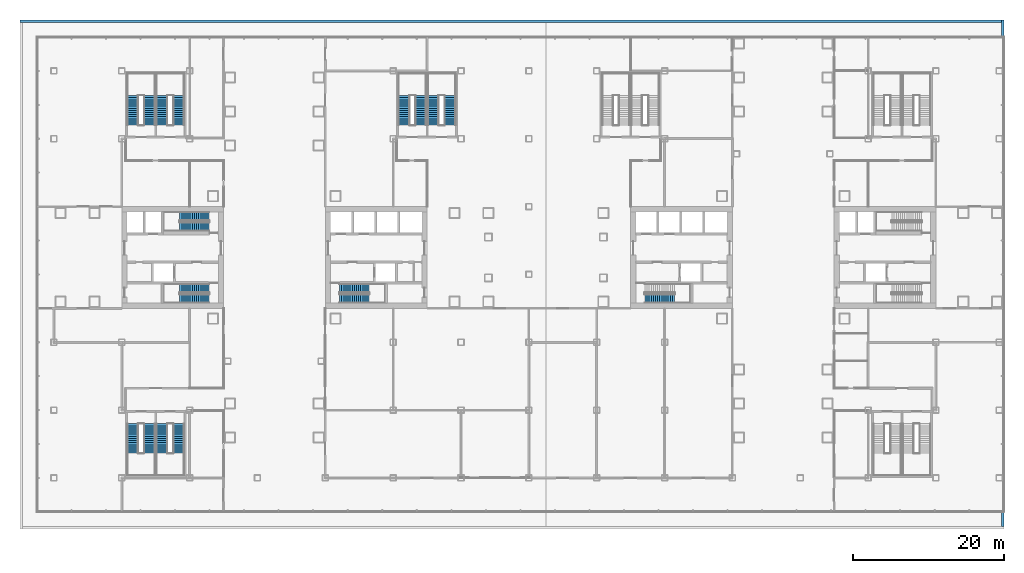
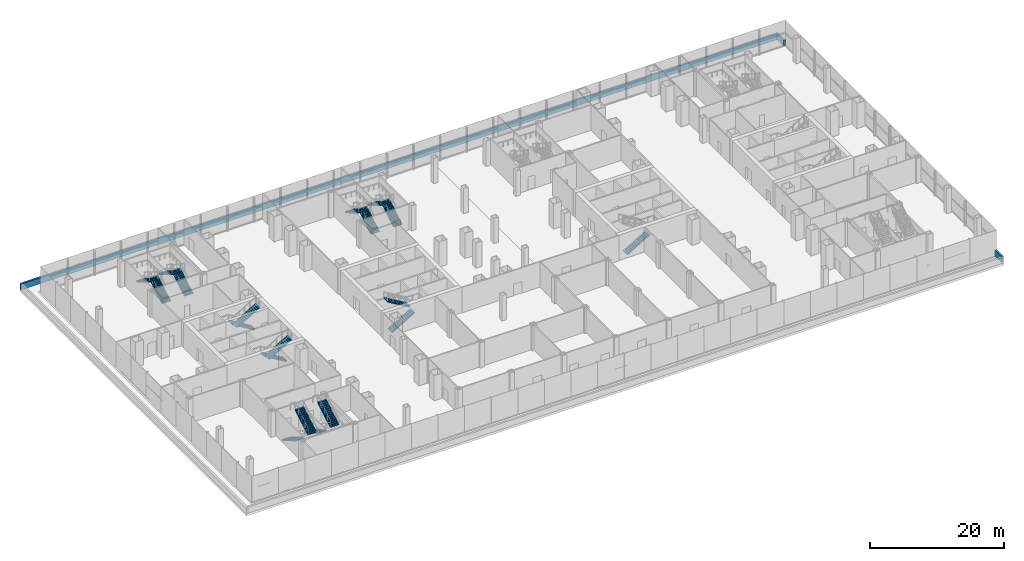
# One storey, part 27 of 33: 19 stair flights, 3 walls, 10 elements without a shape of their own.
"""IFC4 building model written with IfcOpenShell, lengths in metres."""

from ifc_helpers import new_model, si_unit, direction, frame, frame_2d, origin, place, context, subcontext, project, spatial, polyline, rectangle, outline, extrude, material, layer, layer_set, type_object, element, aggregate, save


model = new_model("IFC4")

# Units and contexts
model_context = context("Model", 3, precision=1e-05, world=origin(), true_north=direction((0.0, 1.0)))
body_context = subcontext(model_context, "Body", "Model", "MODEL_VIEW")
ifc_project = project(units=[si_unit("LENGTHUNIT", "METRE"), si_unit("AREAUNIT", "SQUARE_METRE"), si_unit("VOLUMEUNIT", "CUBIC_METRE"), si_unit("PLANEANGLEUNIT", "RADIAN"), si_unit("MASSUNIT", "GRAM", prefix="KILO")], contexts=[model_context])

# Site, building, storey
site_placement = place(None, origin())
site = spatial("IfcSite", under=ifc_project, at=site_placement, CompositionType="ELEMENT")
building_placement = place(site_placement, origin())
building = spatial("IfcBuilding", under=site, at=building_placement, Name="Shamsa Quay Exchange Towers", CompositionType="ELEMENT")
storey_placement = place(building_placement, frame((0.0, 0.0, 18.5)))
storey = spatial("IfcBuildingStorey", under=building, at=storey_placement, Name="L03", CompositionType="ELEMENT", Elevation=18.5)

# Walls
ifc_material_1 = material(Name="Reinforced concrete C30/37", Category="concrete")
ifc_layer = layer(ifc_material_1, 0.300048828125)
ifc_layer_set = layer_set([ifc_layer], Name="ROOF PARAPET 300 C30/37")
wall_type = type_object("IfcWallType", Name="ROOF PARAPET 300 C30/37", PredefinedType="PARAPET", material=ifc_layer_set)
wall_1_placement = place(storey_placement, frame((62.85009765625, 29.25, 0.0), z_axis=(0.0, 0.0, 1.0), x_axis=(0.0, 1.0, 0.0)))
element("IfcWall", 1, at=wall_1_placement, inside=storey, type_object=wall_type, Name="Parapet L02 1", PredefinedType="PARAPET", context=body_context, shape_type="SweptSolid", body=[
    extrude(rectangle(XDim=2.25, YDim=0.300048828125, at=frame_2d((1.125, 0.0))), origin(), (0.0, 0.0, 1.0), 1.10009765625),
])
wall_2_placement = place(storey_placement, frame((62.699951171875, 31.35009765625, 0.0), z_axis=(0.0, 0.0, 1.0), x_axis=(-1.0, 0.0, 0.0)))
element("IfcWall", 2, at=wall_2_placement, inside=storey, type_object=wall_type, Name="Parapet L02 2", PredefinedType="PARAPET", context=body_context, shape_type="SweptSolid", body=[
    extrude(rectangle(XDim=130.199951171875, YDim=0.300048828125, at=frame_2d((65.10009765625, 0.0))), origin(), (0.0, 0.0, 1.0), 1.10009765625),
])
wall_3_placement = place(storey_placement, frame((62.85009765625, -35.699951171875, 0.0), z_axis=(0.0, 0.0, 1.0), x_axis=(0.0, 1.0, 0.0)))
element("IfcWall", 3, at=wall_3_placement, inside=storey, type_object=wall_type, Name="Parapet L02 5", PredefinedType="PARAPET", context=body_context, shape_type="SweptSolid", body=[
    extrude(rectangle(XDim=1.949951171875, YDim=0.300048828125, at=frame_2d((0.97509765625, 0.0))), origin(), (0.0, 0.0, 1.0), 1.10009765625),
])

# Stair, stair flights
ifc_material_2 = material(Name="Concrete C40/50", Category="concrete")
stair_type_1 = type_object("IfcStairType", Name="EXIT STAIR 30 RISERS 167 MM", PredefinedType="HALF_TURN_STAIR", material=ifc_material_2)
stair_1_placement = place(storey_placement, origin())
stair_1 = element("IfcStair", 4, at=stair_1_placement, inside=storey, type_object=stair_type_1, Name="L03 Exit stair ST1", PredefinedType="HALF_TURN_STAIR")
stair_flight_type_1 = type_object("IfcStairFlightType", Name="EXIT STAIR FLIGHT 15 RISERS 167 MM", PredefinedType="STRAIGHT", material=ifc_material_2)
stair_flight_1_placement = place(storey_placement, frame((-25.10009765625, -5.449951171875, 0.0)))
stair_flight_1 = element("IfcStairFlight", 5, at=stair_flight_1_placement, type_object=stair_flight_type_1, Name="ST1 flight 1", NumberOfRisers=15, NumberOfTreads=14, PredefinedType="STRAIGHT", RiserHeight=0.166666667, TreadLength=0.28, context=body_context, shape_type="SweptSolid", body=[
    extrude(outline(polyline([(0.0, 0.0), (0.0, 0.166748046875), (0.280029296875, 0.166748046875), (0.280029296875, 0.333251953125), (0.56005859375, 0.333251953125), (0.56005859375, 0.5), (0.840087890625, 0.5), (0.840087890625, 0.666748046875), (1.1201171875, 0.666748046875), (1.1201171875, 0.833251953125), (1.39990234375, 0.833251953125), (1.39990234375, 1.0), (1.679931640625, 1.0), (1.679931640625, 1.166748046875), (1.9599609375, 1.166748046875), (1.9599609375, 1.333251953125), (2.239990234375, 1.333251953125), (2.239990234375, 1.5), (2.52001953125, 1.5), (2.52001953125, 1.666748046875), (2.800048828125, 1.666748046875), (2.800048828125, 1.833251953125), (3.080078125, 1.833251953125), (3.080078125, 2.0), (3.360107421875, 2.0), (3.360107421875, 2.166748046875), (3.639892578125, 2.166748046875), (3.639892578125, 2.333251953125), (3.919921875, 2.333251953125), (3.919921875, 2.5), (3.919921875, 2.170654296875), (0.2734375, 0.0), (0.0, 0.0)])), frame((0.0, 0.60009765625, 0.0), z_axis=(0.0, -1.0, 0.0), x_axis=(1.0, 0.0, 0.0)), (0.0, 0.0, 1.0), 1.199951171875),
])
stair_flight_2_placement = place(storey_placement, frame((-21.179931640625, -4.10009765625, 2.5), z_axis=(0.0, 0.0, 1.0), x_axis=(-1.0, 0.0, 0.0)))
stair_flight_2 = element("IfcStairFlight", 6, at=stair_flight_2_placement, type_object=stair_flight_type_1, Name="ST1 flight 2", NumberOfRisers=15, NumberOfTreads=14, PredefinedType="STRAIGHT", RiserHeight=0.166666667, TreadLength=0.28, context=body_context, shape_type="SweptSolid", body=[
    extrude(outline(polyline([(0.0, 0.0), (0.0, 0.166748046875), (0.280029296875, 0.166748046875), (0.280029296875, 0.333251953125), (0.56005859375, 0.333251953125), (0.56005859375, 0.5), (0.840087890625, 0.5), (0.840087890625, 0.666748046875), (1.1201171875, 0.666748046875), (1.1201171875, 0.833251953125), (1.39990234375, 0.833251953125), (1.39990234375, 1.0), (1.679931640625, 1.0), (1.679931640625, 1.166748046875), (1.9599609375, 1.166748046875), (1.9599609375, 1.333251953125), (2.239990234375, 1.333251953125), (2.239990234375, 1.5), (2.52001953125, 1.5), (2.52001953125, 1.666748046875), (2.800048828125, 1.666748046875), (2.800048828125, 1.833251953125), (3.080078125, 1.833251953125), (3.080078125, 2.0), (3.360107421875, 2.0), (3.360107421875, 2.166748046875), (3.639892578125, 2.166748046875), (3.639892578125, 2.333251953125), (3.919921875, 2.333251953125), (3.919921875, 2.5), (3.919921875, 2.170654296875), (0.2734375, 0.0), (0.0, 0.0)])), frame((0.0, 0.60009765625, 0.0), z_axis=(0.0, -1.0, 0.0), x_axis=(1.0, 0.0, 0.0)), (0.0, 0.0, 1.0), 1.199951171875),
])
aggregate(stair_1, [stair_flight_1, stair_flight_2])

stair_2_placement = place(storey_placement, origin())
stair_2 = element("IfcStair", 7, at=stair_2_placement, inside=storey, type_object=stair_type_1, Name="L03 Exit stair ST2", PredefinedType="HALF_TURN_STAIR")
stair_flight_3_placement = place(storey_placement, frame((-42.39990234375, -4.10009765625, 0.0), z_axis=(0.0, 0.0, 1.0), x_axis=(-1.0, 0.0, 0.0)))
stair_flight_3 = element("IfcStairFlight", 8, at=stair_flight_3_placement, type_object=stair_flight_type_1, Name="ST2 flight 1", NumberOfRisers=15, NumberOfTreads=14, PredefinedType="STRAIGHT", RiserHeight=0.166666667, TreadLength=0.28, context=body_context, shape_type="SweptSolid", body=[
    extrude(outline(polyline([(0.0, 0.0), (0.0, 0.166748046875), (0.280029296875, 0.166748046875), (0.280029296875, 0.333251953125), (0.56005859375, 0.333251953125), (0.56005859375, 0.5), (0.840087890625, 0.5), (0.840087890625, 0.666748046875), (1.1201171875, 0.666748046875), (1.1201171875, 0.833251953125), (1.39990234375, 0.833251953125), (1.39990234375, 1.0), (1.679931640625, 1.0), (1.679931640625, 1.166748046875), (1.9599609375, 1.166748046875), (1.9599609375, 1.333251953125), (2.239990234375, 1.333251953125), (2.239990234375, 1.5), (2.52001953125, 1.5), (2.52001953125, 1.666748046875), (2.800048828125, 1.666748046875), (2.800048828125, 1.833251953125), (3.080078125, 1.833251953125), (3.080078125, 2.0), (3.360107421875, 2.0), (3.360107421875, 2.166748046875), (3.639892578125, 2.166748046875), (3.639892578125, 2.333251953125), (3.919921875, 2.333251953125), (3.919921875, 2.5), (3.919921875, 2.170654296875), (0.2734375, 0.0), (0.0, 0.0)])), frame((0.0, 0.60009765625, 0.0), z_axis=(0.0, -1.0, 0.0), x_axis=(1.0, 0.0, 0.0)), (0.0, 0.0, 1.0), 1.199951171875),
])
stair_flight_4_placement = place(storey_placement, frame((-46.320068359375, -5.449951171875, 2.5)))
stair_flight_4 = element("IfcStairFlight", 9, at=stair_flight_4_placement, type_object=stair_flight_type_1, Name="ST2 flight 2", NumberOfRisers=15, NumberOfTreads=14, PredefinedType="STRAIGHT", RiserHeight=0.166666667, TreadLength=0.28, context=body_context, shape_type="SweptSolid", body=[
    extrude(outline(polyline([(0.0, 0.0), (0.0, 0.166748046875), (0.280029296875, 0.166748046875), (0.280029296875, 0.333251953125), (0.56005859375, 0.333251953125), (0.56005859375, 0.5), (0.840087890625, 0.5), (0.840087890625, 0.666748046875), (1.1201171875, 0.666748046875), (1.1201171875, 0.833251953125), (1.39990234375, 0.833251953125), (1.39990234375, 1.0), (1.679931640625, 1.0), (1.679931640625, 1.166748046875), (1.9599609375, 1.166748046875), (1.9599609375, 1.333251953125), (2.239990234375, 1.333251953125), (2.239990234375, 1.5), (2.52001953125, 1.5), (2.52001953125, 1.666748046875), (2.800048828125, 1.666748046875), (2.800048828125, 1.833251953125), (3.080078125, 1.833251953125), (3.080078125, 2.0), (3.360107421875, 2.0), (3.360107421875, 2.166748046875), (3.639892578125, 2.166748046875), (3.639892578125, 2.333251953125), (3.919921875, 2.333251953125), (3.919921875, 2.5), (3.919921875, 2.170654296875), (0.2734375, 0.0), (0.0, 0.0)])), frame((0.0, 0.60009765625, 0.0), z_axis=(0.0, -1.0, 0.0), x_axis=(1.0, 0.0, 0.0)), (0.0, 0.0, 1.0), 1.199951171875),
])
aggregate(stair_2, [stair_flight_3, stair_flight_4])

stair_3_placement = place(storey_placement, origin())
stair_3 = element("IfcStair", 10, at=stair_3_placement, inside=storey, type_object=stair_type_1, Name="L03 Exit stair ST3", PredefinedType="HALF_TURN_STAIR")
stair_flight_5_placement = place(storey_placement, frame((-42.39990234375, 5.449951171875, 0.0), z_axis=(0.0, 0.0, 1.0), x_axis=(-1.0, 0.0, 0.0)))
stair_flight_5 = element("IfcStairFlight", 11, at=stair_flight_5_placement, type_object=stair_flight_type_1, Name="ST3 flight 1", NumberOfRisers=15, NumberOfTreads=14, PredefinedType="STRAIGHT", RiserHeight=0.166666667, TreadLength=0.28, context=body_context, shape_type="SweptSolid", body=[
    extrude(outline(polyline([(0.0, 0.0), (0.0, 0.166748046875), (0.280029296875, 0.166748046875), (0.280029296875, 0.333251953125), (0.56005859375, 0.333251953125), (0.56005859375, 0.5), (0.840087890625, 0.5), (0.840087890625, 0.666748046875), (1.1201171875, 0.666748046875), (1.1201171875, 0.833251953125), (1.39990234375, 0.833251953125), (1.39990234375, 1.0), (1.679931640625, 1.0), (1.679931640625, 1.166748046875), (1.9599609375, 1.166748046875), (1.9599609375, 1.333251953125), (2.239990234375, 1.333251953125), (2.239990234375, 1.5), (2.52001953125, 1.5), (2.52001953125, 1.666748046875), (2.800048828125, 1.666748046875), (2.800048828125, 1.833251953125), (3.080078125, 1.833251953125), (3.080078125, 2.0), (3.360107421875, 2.0), (3.360107421875, 2.166748046875), (3.639892578125, 2.166748046875), (3.639892578125, 2.333251953125), (3.919921875, 2.333251953125), (3.919921875, 2.5), (3.919921875, 2.170654296875), (0.2734375, 0.0), (0.0, 0.0)])), frame((0.0, 0.60009765625, 0.0), z_axis=(0.0, -1.0, 0.0), x_axis=(1.0, 0.0, 0.0)), (0.0, 0.0, 1.0), 1.199951171875),
])
stair_flight_6_placement = place(storey_placement, frame((-46.320068359375, 4.10009765625, 2.5)))
stair_flight_6 = element("IfcStairFlight", 12, at=stair_flight_6_placement, type_object=stair_flight_type_1, Name="ST3 flight 2", NumberOfRisers=15, NumberOfTreads=14, PredefinedType="STRAIGHT", RiserHeight=0.166666667, TreadLength=0.28, context=body_context, shape_type="SweptSolid", body=[
    extrude(outline(polyline([(0.0, 0.0), (0.0, 0.166748046875), (0.280029296875, 0.166748046875), (0.280029296875, 0.333251953125), (0.56005859375, 0.333251953125), (0.56005859375, 0.5), (0.840087890625, 0.5), (0.840087890625, 0.666748046875), (1.1201171875, 0.666748046875), (1.1201171875, 0.833251953125), (1.39990234375, 0.833251953125), (1.39990234375, 1.0), (1.679931640625, 1.0), (1.679931640625, 1.166748046875), (1.9599609375, 1.166748046875), (1.9599609375, 1.333251953125), (2.239990234375, 1.333251953125), (2.239990234375, 1.5), (2.52001953125, 1.5), (2.52001953125, 1.666748046875), (2.800048828125, 1.666748046875), (2.800048828125, 1.833251953125), (3.080078125, 1.833251953125), (3.080078125, 2.0), (3.360107421875, 2.0), (3.360107421875, 2.166748046875), (3.639892578125, 2.166748046875), (3.639892578125, 2.333251953125), (3.919921875, 2.333251953125), (3.919921875, 2.5), (3.919921875, 2.170654296875), (0.2734375, 0.0), (0.0, 0.0)])), frame((0.0, 0.60009765625, 0.0), z_axis=(0.0, -1.0, 0.0), x_axis=(1.0, 0.0, 0.0)), (0.0, 0.0, 1.0), 1.199951171875),
])
aggregate(stair_3, [stair_flight_5, stair_flight_6])

# Stair, stair flight
stair_4_placement = place(storey_placement, origin())
stair_4 = element("IfcStair", 13, at=stair_4_placement, inside=storey, type_object=stair_type_1, Name="L03 Exit stair ST4", PredefinedType="HALF_TURN_STAIR")
stair_flight_7_placement = place(storey_placement, frame((15.39990234375, -5.449951171875, 0.0)))
stair_flight_7 = element("IfcStairFlight", 14, at=stair_flight_7_placement, type_object=stair_flight_type_1, Name="ST4 flight 1", NumberOfRisers=15, NumberOfTreads=14, PredefinedType="STRAIGHT", RiserHeight=0.166666667, TreadLength=0.28, context=body_context, shape_type="SweptSolid", body=[
    extrude(outline(polyline([(0.0, 0.0), (0.0, 0.166748046875), (0.280029296875, 0.166748046875), (0.280029296875, 0.333251953125), (0.56005859375, 0.333251953125), (0.56005859375, 0.5), (0.840087890625, 0.5), (0.840087890625, 0.666748046875), (1.1201171875, 0.666748046875), (1.1201171875, 0.833251953125), (1.39990234375, 0.833251953125), (1.39990234375, 1.0), (1.679931640625, 1.0), (1.679931640625, 1.166748046875), (1.9599609375, 1.166748046875), (1.9599609375, 1.333251953125), (2.239990234375, 1.333251953125), (2.239990234375, 1.5), (2.52001953125, 1.5), (2.52001953125, 1.666748046875), (2.800048828125, 1.666748046875), (2.800048828125, 1.833251953125), (3.080078125, 1.833251953125), (3.080078125, 2.0), (3.360107421875, 2.0), (3.360107421875, 2.166748046875), (3.639892578125, 2.166748046875), (3.639892578125, 2.333251953125), (3.919921875, 2.333251953125), (3.919921875, 2.5), (3.919921875, 2.170654296875), (0.2734375, 0.0), (0.0, 0.0)])), frame((0.0, 0.60009765625, 0.0), z_axis=(0.0, -1.0, 0.0), x_axis=(1.0, 0.0, 0.0)), (0.0, 0.0, 1.0), 1.199951171875),
])
aggregate(stair_4, [stair_flight_7])

# Stair, stair flights
stair_type_2 = type_object("IfcStairType", Name="PODIUM EXIT STAIR 30 RISERS 167 MM 1500 WIDE", PredefinedType="HALF_TURN_STAIR", material=ifc_material_2)
stair_5_placement = place(storey_placement, origin())
stair_5 = element("IfcStair", 15, at=stair_5_placement, inside=storey, type_object=stair_type_2, Name="L03 Exit stair PS1A", PredefinedType="HALF_TURN_STAIR")
stair_flight_type_2 = type_object("IfcStairFlightType", Name="PODIUM EXIT STAIR FLIGHT 15 RISERS 167 MM 1500 WIDE", PredefinedType="STRAIGHT", material=ifc_material_2)
stair_flight_8_placement = place(storey_placement, frame((-50.324951171875, 17.550048828125, 0.0), z_axis=(0.0, 0.0, 1.0), x_axis=(0.0, 1.0, 0.0)))
stair_flight_8 = element("IfcStairFlight", 16, at=stair_flight_8_placement, type_object=stair_flight_type_2, Name="PS1A flight 1", NumberOfRisers=15, NumberOfTreads=14, PredefinedType="STRAIGHT", RiserHeight=0.166666667, TreadLength=0.28, context=body_context, shape_type="SweptSolid", body=[
    extrude(outline(polyline([(0.0, 0.0), (0.0, 0.166748046875), (0.280029296875, 0.166748046875), (0.280029296875, 0.333251953125), (0.56005859375, 0.333251953125), (0.56005859375, 0.5), (0.840087890625, 0.5), (0.840087890625, 0.666748046875), (1.1201171875, 0.666748046875), (1.1201171875, 0.833251953125), (1.39990234375, 0.833251953125), (1.39990234375, 1.0), (1.679931640625, 1.0), (1.679931640625, 1.166748046875), (1.9599609375, 1.166748046875), (1.9599609375, 1.333251953125), (2.239990234375, 1.333251953125), (2.239990234375, 1.5), (2.52001953125, 1.5), (2.52001953125, 1.666748046875), (2.800048828125, 1.666748046875), (2.800048828125, 1.833251953125), (3.080078125, 1.833251953125), (3.080078125, 2.0), (3.360107421875, 2.0), (3.360107421875, 2.166748046875), (3.639892578125, 2.166748046875), (3.639892578125, 2.333251953125), (3.919921875, 2.333251953125), (3.919921875, 2.5), (3.919921875, 2.158935546875), (0.29296875, 0.0), (0.0, 0.0)])), frame((0.0, 0.75, 0.0), z_axis=(0.0, -1.0, 0.0), x_axis=(1.0, 0.0, 0.0)), (0.0, 0.0, 1.0), 1.5),
])
stair_flight_9_placement = place(storey_placement, frame((-52.550048828125, 21.469970703125, 2.5), z_axis=(0.0, 0.0, 1.0), x_axis=(0.0, -1.0, 0.0)))
stair_flight_9 = element("IfcStairFlight", 17, at=stair_flight_9_placement, type_object=stair_flight_type_2, Name="PS1A flight 2", NumberOfRisers=15, NumberOfTreads=14, PredefinedType="STRAIGHT", RiserHeight=0.166666667, TreadLength=0.28, context=body_context, shape_type="SweptSolid", body=[
    extrude(outline(polyline([(0.0, 0.0), (0.0, 0.166748046875), (0.280029296875, 0.166748046875), (0.280029296875, 0.333251953125), (0.56005859375, 0.333251953125), (0.56005859375, 0.5), (0.840087890625, 0.5), (0.840087890625, 0.666748046875), (1.1201171875, 0.666748046875), (1.1201171875, 0.833251953125), (1.39990234375, 0.833251953125), (1.39990234375, 1.0), (1.679931640625, 1.0), (1.679931640625, 1.166748046875), (1.9599609375, 1.166748046875), (1.9599609375, 1.333251953125), (2.239990234375, 1.333251953125), (2.239990234375, 1.5), (2.52001953125, 1.5), (2.52001953125, 1.666748046875), (2.800048828125, 1.666748046875), (2.800048828125, 1.833251953125), (3.080078125, 1.833251953125), (3.080078125, 2.0), (3.360107421875, 2.0), (3.360107421875, 2.166748046875), (3.639892578125, 2.166748046875), (3.639892578125, 2.333251953125), (3.919921875, 2.333251953125), (3.919921875, 2.5), (3.919921875, 2.158935546875), (0.29296875, 0.0), (0.0, 0.0)])), frame((0.0, 0.75, 0.0), z_axis=(0.0, -1.0, 0.0), x_axis=(1.0, 0.0, 0.0)), (0.0, 0.0, 1.0), 1.5),
])
aggregate(stair_5, [stair_flight_8, stair_flight_9])

stair_6_placement = place(storey_placement, origin())
stair_6 = element("IfcStair", 18, at=stair_6_placement, inside=storey, type_object=stair_type_2, Name="L03 Exit stair PS1B", PredefinedType="HALF_TURN_STAIR")
stair_flight_10_placement = place(storey_placement, frame((-46.449951171875, 17.550048828125, 0.0), z_axis=(0.0, 0.0, 1.0), x_axis=(0.0, 1.0, 0.0)))
stair_flight_10 = element("IfcStairFlight", 19, at=stair_flight_10_placement, type_object=stair_flight_type_2, Name="PS1B flight 1", NumberOfRisers=15, NumberOfTreads=14, PredefinedType="STRAIGHT", RiserHeight=0.166666667, TreadLength=0.28, context=body_context, shape_type="SweptSolid", body=[
    extrude(outline(polyline([(0.0, 0.0), (0.0, 0.166748046875), (0.280029296875, 0.166748046875), (0.280029296875, 0.333251953125), (0.56005859375, 0.333251953125), (0.56005859375, 0.5), (0.840087890625, 0.5), (0.840087890625, 0.666748046875), (1.1201171875, 0.666748046875), (1.1201171875, 0.833251953125), (1.39990234375, 0.833251953125), (1.39990234375, 1.0), (1.679931640625, 1.0), (1.679931640625, 1.166748046875), (1.9599609375, 1.166748046875), (1.9599609375, 1.333251953125), (2.239990234375, 1.333251953125), (2.239990234375, 1.5), (2.52001953125, 1.5), (2.52001953125, 1.666748046875), (2.800048828125, 1.666748046875), (2.800048828125, 1.833251953125), (3.080078125, 1.833251953125), (3.080078125, 2.0), (3.360107421875, 2.0), (3.360107421875, 2.166748046875), (3.639892578125, 2.166748046875), (3.639892578125, 2.333251953125), (3.919921875, 2.333251953125), (3.919921875, 2.5), (3.919921875, 2.158935546875), (0.29296875, 0.0), (0.0, 0.0)])), frame((0.0, 0.75, 0.0), z_axis=(0.0, -1.0, 0.0), x_axis=(1.0, 0.0, 0.0)), (0.0, 0.0, 1.0), 1.5),
])
stair_flight_11_placement = place(storey_placement, frame((-48.675048828125, 21.469970703125, 2.5), z_axis=(0.0, 0.0, 1.0), x_axis=(0.0, -1.0, 0.0)))
stair_flight_11 = element("IfcStairFlight", 20, at=stair_flight_11_placement, type_object=stair_flight_type_2, Name="PS1B flight 2", NumberOfRisers=15, NumberOfTreads=14, PredefinedType="STRAIGHT", RiserHeight=0.166666667, TreadLength=0.28, context=body_context, shape_type="SweptSolid", body=[
    extrude(outline(polyline([(0.0, 0.0), (0.0, 0.166748046875), (0.280029296875, 0.166748046875), (0.280029296875, 0.333251953125), (0.56005859375, 0.333251953125), (0.56005859375, 0.5), (0.840087890625, 0.5), (0.840087890625, 0.666748046875), (1.1201171875, 0.666748046875), (1.1201171875, 0.833251953125), (1.39990234375, 0.833251953125), (1.39990234375, 1.0), (1.679931640625, 1.0), (1.679931640625, 1.166748046875), (1.9599609375, 1.166748046875), (1.9599609375, 1.333251953125), (2.239990234375, 1.333251953125), (2.239990234375, 1.5), (2.52001953125, 1.5), (2.52001953125, 1.666748046875), (2.800048828125, 1.666748046875), (2.800048828125, 1.833251953125), (3.080078125, 1.833251953125), (3.080078125, 2.0), (3.360107421875, 2.0), (3.360107421875, 2.166748046875), (3.639892578125, 2.166748046875), (3.639892578125, 2.333251953125), (3.919921875, 2.333251953125), (3.919921875, 2.5), (3.919921875, 2.158935546875), (0.29296875, 0.0), (0.0, 0.0)])), frame((0.0, 0.75, 0.0), z_axis=(0.0, -1.0, 0.0), x_axis=(1.0, 0.0, 0.0)), (0.0, 0.0, 1.0), 1.5),
])
aggregate(stair_6, [stair_flight_10, stair_flight_11])

stair_7_placement = place(storey_placement, origin())
stair_7 = element("IfcStair", 21, at=stair_7_placement, inside=storey, type_object=stair_type_2, Name="L03 Exit stair PS2A", PredefinedType="HALF_TURN_STAIR")
stair_flight_12_placement = place(storey_placement, frame((-14.324951171875, 17.550048828125, 0.0), z_axis=(0.0, 0.0, 1.0), x_axis=(0.0, 1.0, 0.0)))
stair_flight_12 = element("IfcStairFlight", 22, at=stair_flight_12_placement, type_object=stair_flight_type_2, Name="PS2A flight 1", NumberOfRisers=15, NumberOfTreads=14, PredefinedType="STRAIGHT", RiserHeight=0.166666667, TreadLength=0.28, context=body_context, shape_type="SweptSolid", body=[
    extrude(outline(polyline([(0.0, 0.0), (0.0, 0.166748046875), (0.280029296875, 0.166748046875), (0.280029296875, 0.333251953125), (0.56005859375, 0.333251953125), (0.56005859375, 0.5), (0.840087890625, 0.5), (0.840087890625, 0.666748046875), (1.1201171875, 0.666748046875), (1.1201171875, 0.833251953125), (1.39990234375, 0.833251953125), (1.39990234375, 1.0), (1.679931640625, 1.0), (1.679931640625, 1.166748046875), (1.9599609375, 1.166748046875), (1.9599609375, 1.333251953125), (2.239990234375, 1.333251953125), (2.239990234375, 1.5), (2.52001953125, 1.5), (2.52001953125, 1.666748046875), (2.800048828125, 1.666748046875), (2.800048828125, 1.833251953125), (3.080078125, 1.833251953125), (3.080078125, 2.0), (3.360107421875, 2.0), (3.360107421875, 2.166748046875), (3.639892578125, 2.166748046875), (3.639892578125, 2.333251953125), (3.919921875, 2.333251953125), (3.919921875, 2.5), (3.919921875, 2.158935546875), (0.29296875, 0.0), (0.0, 0.0)])), frame((0.0, 0.75, 0.0), z_axis=(0.0, -1.0, 0.0), x_axis=(1.0, 0.0, 0.0)), (0.0, 0.0, 1.0), 1.5),
])
stair_flight_13_placement = place(storey_placement, frame((-16.550048828125, 21.469970703125, 2.5), z_axis=(0.0, 0.0, 1.0), x_axis=(0.0, -1.0, 0.0)))
stair_flight_13 = element("IfcStairFlight", 23, at=stair_flight_13_placement, type_object=stair_flight_type_2, Name="PS2A flight 2", NumberOfRisers=15, NumberOfTreads=14, PredefinedType="STRAIGHT", RiserHeight=0.166666667, TreadLength=0.28, context=body_context, shape_type="SweptSolid", body=[
    extrude(outline(polyline([(0.0, 0.0), (0.0, 0.166748046875), (0.280029296875, 0.166748046875), (0.280029296875, 0.333251953125), (0.56005859375, 0.333251953125), (0.56005859375, 0.5), (0.840087890625, 0.5), (0.840087890625, 0.666748046875), (1.1201171875, 0.666748046875), (1.1201171875, 0.833251953125), (1.39990234375, 0.833251953125), (1.39990234375, 1.0), (1.679931640625, 1.0), (1.679931640625, 1.166748046875), (1.9599609375, 1.166748046875), (1.9599609375, 1.333251953125), (2.239990234375, 1.333251953125), (2.239990234375, 1.5), (2.52001953125, 1.5), (2.52001953125, 1.666748046875), (2.800048828125, 1.666748046875), (2.800048828125, 1.833251953125), (3.080078125, 1.833251953125), (3.080078125, 2.0), (3.360107421875, 2.0), (3.360107421875, 2.166748046875), (3.639892578125, 2.166748046875), (3.639892578125, 2.333251953125), (3.919921875, 2.333251953125), (3.919921875, 2.5), (3.919921875, 2.158935546875), (0.29296875, 0.0), (0.0, 0.0)])), frame((0.0, 0.75, 0.0), z_axis=(0.0, -1.0, 0.0), x_axis=(1.0, 0.0, 0.0)), (0.0, 0.0, 1.0), 1.5),
])
aggregate(stair_7, [stair_flight_12, stair_flight_13])

stair_8_placement = place(storey_placement, origin())
stair_8 = element("IfcStair", 24, at=stair_8_placement, inside=storey, type_object=stair_type_2, Name="L03 Exit stair PS2B", PredefinedType="HALF_TURN_STAIR")
stair_flight_14_placement = place(storey_placement, frame((-10.449951171875, 17.550048828125, 0.0), z_axis=(0.0, 0.0, 1.0), x_axis=(0.0, 1.0, 0.0)))
stair_flight_14 = element("IfcStairFlight", 25, at=stair_flight_14_placement, type_object=stair_flight_type_2, Name="PS2B flight 1", NumberOfRisers=15, NumberOfTreads=14, PredefinedType="STRAIGHT", RiserHeight=0.166666667, TreadLength=0.28, context=body_context, shape_type="SweptSolid", body=[
    extrude(outline(polyline([(0.0, 0.0), (0.0, 0.166748046875), (0.280029296875, 0.166748046875), (0.280029296875, 0.333251953125), (0.56005859375, 0.333251953125), (0.56005859375, 0.5), (0.840087890625, 0.5), (0.840087890625, 0.666748046875), (1.1201171875, 0.666748046875), (1.1201171875, 0.833251953125), (1.39990234375, 0.833251953125), (1.39990234375, 1.0), (1.679931640625, 1.0), (1.679931640625, 1.166748046875), (1.9599609375, 1.166748046875), (1.9599609375, 1.333251953125), (2.239990234375, 1.333251953125), (2.239990234375, 1.5), (2.52001953125, 1.5), (2.52001953125, 1.666748046875), (2.800048828125, 1.666748046875), (2.800048828125, 1.833251953125), (3.080078125, 1.833251953125), (3.080078125, 2.0), (3.360107421875, 2.0), (3.360107421875, 2.166748046875), (3.639892578125, 2.166748046875), (3.639892578125, 2.333251953125), (3.919921875, 2.333251953125), (3.919921875, 2.5), (3.919921875, 2.158935546875), (0.29296875, 0.0), (0.0, 0.0)])), frame((0.0, 0.75, 0.0), z_axis=(0.0, -1.0, 0.0), x_axis=(1.0, 0.0, 0.0)), (0.0, 0.0, 1.0), 1.5),
])
stair_flight_15_placement = place(storey_placement, frame((-12.675048828125, 21.469970703125, 2.5), z_axis=(0.0, 0.0, 1.0), x_axis=(0.0, -1.0, 0.0)))
stair_flight_15 = element("IfcStairFlight", 26, at=stair_flight_15_placement, type_object=stair_flight_type_2, Name="PS2B flight 2", NumberOfRisers=15, NumberOfTreads=14, PredefinedType="STRAIGHT", RiserHeight=0.166666667, TreadLength=0.28, context=body_context, shape_type="SweptSolid", body=[
    extrude(outline(polyline([(0.0, 0.0), (0.0, 0.166748046875), (0.280029296875, 0.166748046875), (0.280029296875, 0.333251953125), (0.56005859375, 0.333251953125), (0.56005859375, 0.5), (0.840087890625, 0.5), (0.840087890625, 0.666748046875), (1.1201171875, 0.666748046875), (1.1201171875, 0.833251953125), (1.39990234375, 0.833251953125), (1.39990234375, 1.0), (1.679931640625, 1.0), (1.679931640625, 1.166748046875), (1.9599609375, 1.166748046875), (1.9599609375, 1.333251953125), (2.239990234375, 1.333251953125), (2.239990234375, 1.5), (2.52001953125, 1.5), (2.52001953125, 1.666748046875), (2.800048828125, 1.666748046875), (2.800048828125, 1.833251953125), (3.080078125, 1.833251953125), (3.080078125, 2.0), (3.360107421875, 2.0), (3.360107421875, 2.166748046875), (3.639892578125, 2.166748046875), (3.639892578125, 2.333251953125), (3.919921875, 2.333251953125), (3.919921875, 2.5), (3.919921875, 2.158935546875), (0.29296875, 0.0), (0.0, 0.0)])), frame((0.0, 0.75, 0.0), z_axis=(0.0, -1.0, 0.0), x_axis=(1.0, 0.0, 0.0)), (0.0, 0.0, 1.0), 1.5),
])
aggregate(stair_8, [stair_flight_14, stair_flight_15])

stair_9_placement = place(storey_placement, origin())
stair_9 = element("IfcStair", 27, at=stair_9_placement, inside=storey, type_object=stair_type_2, Name="L03 Exit stair PS5A", PredefinedType="HALF_TURN_STAIR")
stair_flight_16_placement = place(storey_placement, frame((-52.550048828125, -22.050048828125, 0.0), z_axis=(0.0, 0.0, 1.0), x_axis=(0.0, -1.0, 0.0)))
stair_flight_16 = element("IfcStairFlight", 28, at=stair_flight_16_placement, type_object=stair_flight_type_2, Name="PS5A flight 1", NumberOfRisers=15, NumberOfTreads=14, PredefinedType="STRAIGHT", RiserHeight=0.166666667, TreadLength=0.28, context=body_context, shape_type="SweptSolid", body=[
    extrude(outline(polyline([(0.0, 0.0), (0.0, 0.166748046875), (0.280029296875, 0.166748046875), (0.280029296875, 0.333251953125), (0.56005859375, 0.333251953125), (0.56005859375, 0.5), (0.840087890625, 0.5), (0.840087890625, 0.666748046875), (1.1201171875, 0.666748046875), (1.1201171875, 0.833251953125), (1.39990234375, 0.833251953125), (1.39990234375, 1.0), (1.679931640625, 1.0), (1.679931640625, 1.166748046875), (1.9599609375, 1.166748046875), (1.9599609375, 1.333251953125), (2.239990234375, 1.333251953125), (2.239990234375, 1.5), (2.52001953125, 1.5), (2.52001953125, 1.666748046875), (2.800048828125, 1.666748046875), (2.800048828125, 1.833251953125), (3.080078125, 1.833251953125), (3.080078125, 2.0), (3.360107421875, 2.0), (3.360107421875, 2.166748046875), (3.639892578125, 2.166748046875), (3.639892578125, 2.333251953125), (3.919921875, 2.333251953125), (3.919921875, 2.5), (3.919921875, 2.158935546875), (0.29296875, 0.0), (0.0, 0.0)])), frame((0.0, 0.75, 0.0), z_axis=(0.0, -1.0, 0.0), x_axis=(1.0, 0.0, 0.0)), (0.0, 0.0, 1.0), 1.5),
])
stair_flight_17_placement = place(storey_placement, frame((-50.324951171875, -25.969970703125, 2.5), z_axis=(0.0, 0.0, 1.0), x_axis=(0.0, 1.0, 0.0)))
stair_flight_17 = element("IfcStairFlight", 29, at=stair_flight_17_placement, type_object=stair_flight_type_2, Name="PS5A flight 2", NumberOfRisers=15, NumberOfTreads=14, PredefinedType="STRAIGHT", RiserHeight=0.166666667, TreadLength=0.28, context=body_context, shape_type="SweptSolid", body=[
    extrude(outline(polyline([(0.0, 0.0), (0.0, 0.166748046875), (0.280029296875, 0.166748046875), (0.280029296875, 0.333251953125), (0.56005859375, 0.333251953125), (0.56005859375, 0.5), (0.840087890625, 0.5), (0.840087890625, 0.666748046875), (1.1201171875, 0.666748046875), (1.1201171875, 0.833251953125), (1.39990234375, 0.833251953125), (1.39990234375, 1.0), (1.679931640625, 1.0), (1.679931640625, 1.166748046875), (1.9599609375, 1.166748046875), (1.9599609375, 1.333251953125), (2.239990234375, 1.333251953125), (2.239990234375, 1.5), (2.52001953125, 1.5), (2.52001953125, 1.666748046875), (2.800048828125, 1.666748046875), (2.800048828125, 1.833251953125), (3.080078125, 1.833251953125), (3.080078125, 2.0), (3.360107421875, 2.0), (3.360107421875, 2.166748046875), (3.639892578125, 2.166748046875), (3.639892578125, 2.333251953125), (3.919921875, 2.333251953125), (3.919921875, 2.5), (3.919921875, 2.158935546875), (0.29296875, 0.0), (0.0, 0.0)])), frame((0.0, 0.75, 0.0), z_axis=(0.0, -1.0, 0.0), x_axis=(1.0, 0.0, 0.0)), (0.0, 0.0, 1.0), 1.5),
])
aggregate(stair_9, [stair_flight_16, stair_flight_17])

stair_10_placement = place(storey_placement, origin())
stair_10 = element("IfcStair", 30, at=stair_10_placement, inside=storey, type_object=stair_type_2, Name="L03 Exit stair PS5B", PredefinedType="HALF_TURN_STAIR")
stair_flight_18_placement = place(storey_placement, frame((-48.675048828125, -22.050048828125, 0.0), z_axis=(0.0, 0.0, 1.0), x_axis=(0.0, -1.0, 0.0)))
stair_flight_18 = element("IfcStairFlight", 31, at=stair_flight_18_placement, type_object=stair_flight_type_2, Name="PS5B flight 1", NumberOfRisers=15, NumberOfTreads=14, PredefinedType="STRAIGHT", RiserHeight=0.166666667, TreadLength=0.28, context=body_context, shape_type="SweptSolid", body=[
    extrude(outline(polyline([(0.0, 0.0), (0.0, 0.166748046875), (0.280029296875, 0.166748046875), (0.280029296875, 0.333251953125), (0.56005859375, 0.333251953125), (0.56005859375, 0.5), (0.840087890625, 0.5), (0.840087890625, 0.666748046875), (1.1201171875, 0.666748046875), (1.1201171875, 0.833251953125), (1.39990234375, 0.833251953125), (1.39990234375, 1.0), (1.679931640625, 1.0), (1.679931640625, 1.166748046875), (1.9599609375, 1.166748046875), (1.9599609375, 1.333251953125), (2.239990234375, 1.333251953125), (2.239990234375, 1.5), (2.52001953125, 1.5), (2.52001953125, 1.666748046875), (2.800048828125, 1.666748046875), (2.800048828125, 1.833251953125), (3.080078125, 1.833251953125), (3.080078125, 2.0), (3.360107421875, 2.0), (3.360107421875, 2.166748046875), (3.639892578125, 2.166748046875), (3.639892578125, 2.333251953125), (3.919921875, 2.333251953125), (3.919921875, 2.5), (3.919921875, 2.158935546875), (0.29296875, 0.0), (0.0, 0.0)])), frame((0.0, 0.75, 0.0), z_axis=(0.0, -1.0, 0.0), x_axis=(1.0, 0.0, 0.0)), (0.0, 0.0, 1.0), 1.5),
])
stair_flight_19_placement = place(storey_placement, frame((-46.449951171875, -25.969970703125, 2.5), z_axis=(0.0, 0.0, 1.0), x_axis=(0.0, 1.0, 0.0)))
stair_flight_19 = element("IfcStairFlight", 32, at=stair_flight_19_placement, type_object=stair_flight_type_2, Name="PS5B flight 2", NumberOfRisers=15, NumberOfTreads=14, PredefinedType="STRAIGHT", RiserHeight=0.166666667, TreadLength=0.28, context=body_context, shape_type="SweptSolid", body=[
    extrude(outline(polyline([(0.0, 0.0), (0.0, 0.166748046875), (0.280029296875, 0.166748046875), (0.280029296875, 0.333251953125), (0.56005859375, 0.333251953125), (0.56005859375, 0.5), (0.840087890625, 0.5), (0.840087890625, 0.666748046875), (1.1201171875, 0.666748046875), (1.1201171875, 0.833251953125), (1.39990234375, 0.833251953125), (1.39990234375, 1.0), (1.679931640625, 1.0), (1.679931640625, 1.166748046875), (1.9599609375, 1.166748046875), (1.9599609375, 1.333251953125), (2.239990234375, 1.333251953125), (2.239990234375, 1.5), (2.52001953125, 1.5), (2.52001953125, 1.666748046875), (2.800048828125, 1.666748046875), (2.800048828125, 1.833251953125), (3.080078125, 1.833251953125), (3.080078125, 2.0), (3.360107421875, 2.0), (3.360107421875, 2.166748046875), (3.639892578125, 2.166748046875), (3.639892578125, 2.333251953125), (3.919921875, 2.333251953125), (3.919921875, 2.5), (3.919921875, 2.158935546875), (0.29296875, 0.0), (0.0, 0.0)])), frame((0.0, 0.75, 0.0), z_axis=(0.0, -1.0, 0.0), x_axis=(1.0, 0.0, 0.0)), (0.0, 0.0, 1.0), 1.5),
])
aggregate(stair_10, [stair_flight_18, stair_flight_19])

save(model, "model.ifc")
